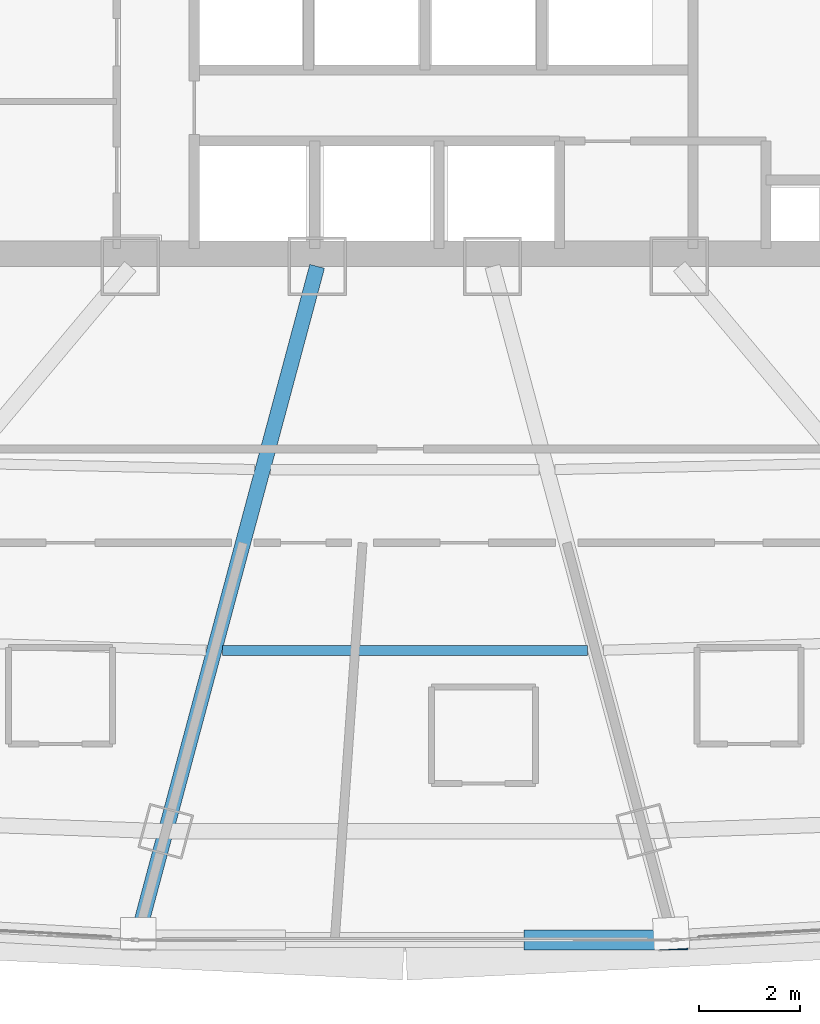
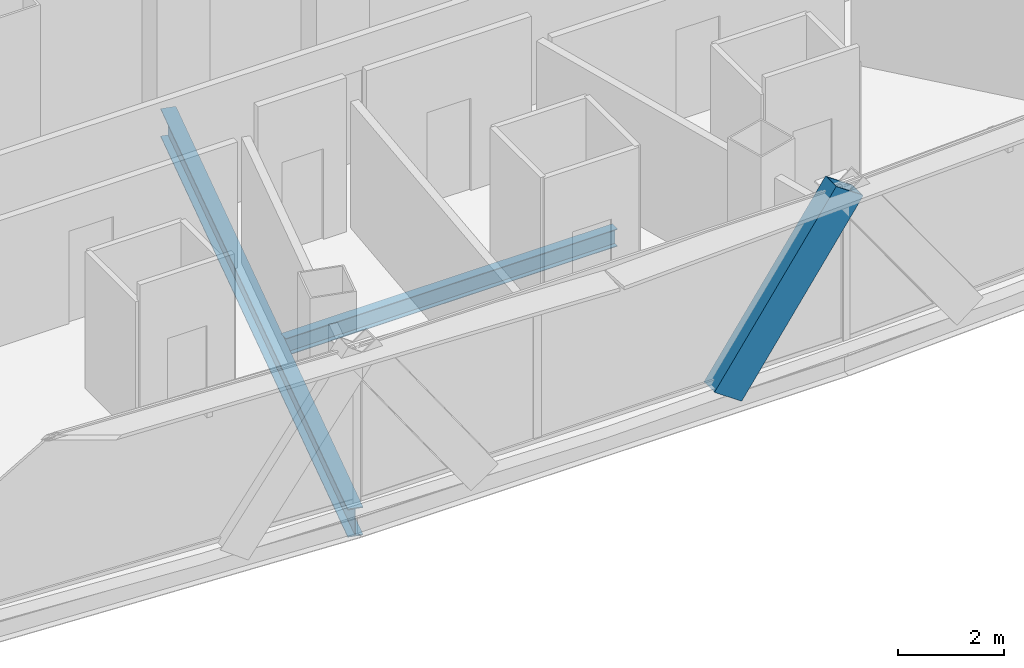
# One storey, part 11 of 40: 2 beams, 1 member.
"""IFC4 building model written with IfcOpenShell, lengths in metres."""

from ifc_helpers import new_model, si_unit, direction, frame, origin, origin_2d, place, context, subcontext, project, spatial, hollow_rectangle, i_section, extrude, source, transform, mapped, material, material_profile, profile_set, type_object, element, save


model = new_model("IFC4")

# Units and contexts
model_context = context("Model", 3, precision=1e-05, world=origin(), true_north=direction((0.0, 1.0)))
body_context = subcontext(model_context, "Body", "Model", "MODEL_VIEW")
ifc_project = project(units=[si_unit("LENGTHUNIT", "METRE"), si_unit("AREAUNIT", "SQUARE_METRE"), si_unit("VOLUMEUNIT", "CUBIC_METRE"), si_unit("PLANEANGLEUNIT", "RADIAN"), si_unit("MASSUNIT", "GRAM", prefix="KILO"), si_unit("THERMODYNAMICTEMPERATUREUNIT", "KELVIN"), si_unit("POWERUNIT", "WATT")], contexts=[model_context])

# Site, building, storey
site_placement = place(None, origin())
site = spatial("IfcSite", under=ifc_project, at=site_placement, CompositionType="ELEMENT")
building_placement = place(site_placement, origin())
building = spatial("IfcBuilding", under=site, at=building_placement, Name="Yunzhuo Pagoda Commons", CompositionType="ELEMENT")
storey_placement = place(building_placement, frame((0.0, 0.0, 188.56005859375)))
storey = spatial("IfcBuildingStorey", under=building, at=storey_placement, Name="L47", CompositionType="ELEMENT", Elevation=188.56005859375)

# Beams
ifc_material = material(Name="Structural steel Q355B", Category="steel")
ifc_material_profile_1 = material_profile(ifc_material, i_section(OverallWidth=0.300048828125, OverallDepth=0.64990234375, WebThickness=0.012939453125, FlangeThickness=0.02197265625, at=origin_2d()), Name="Structural steel Q355B")
ifc_profile_set_1 = profile_set([ifc_material_profile_1], Name="Structural steel Q355B")
beam_type_1 = type_object("IfcBeamType", Name="B-RG2 Beam HN 650x300x13x22", PredefinedType="BEAM", material=ifc_profile_set_1)
shared_shape_1 = source(origin(), body_context, "Body", "SweptSolid", [
    extrude(i_section(OverallWidth=0.300048828125, OverallDepth=0.64990234375, WebThickness=0.012939453125, FlangeThickness=0.02197265625, at=origin_2d()), origin(), (0.0, 0.0, 1.0), 13.593017578125),
])
beam_1_placement = place(storey_placement, frame((42.753662109375, 14.1201171875, -0.5849609375), z_axis=(0.258830648495, 0.965922717095, 0.0), x_axis=(-0.965922717095, 0.258830648495, 0.0)))
element("IfcBeam", 1, at=beam_1_placement, inside=storey, type_object=beam_type_1, Name="L47 radial floor girder F1C2", PredefinedType="BEAM", context=body_context, shape_type="MappedRepresentation", body=[
    mapped(shared_shape_1, transform((0.0, 0.0, 0.0), scale=1.0)),
])
ifc_material_profile_2 = material_profile(ifc_material, i_section(OverallWidth=0.199951171875, OverallDepth=0.39990234375, WebThickness=0.008056640625, FlangeThickness=0.012939453125, at=origin_2d()), Name="Structural steel Q355B")
ifc_profile_set_2 = profile_set([ifc_material_profile_2], Name="Structural steel Q355B")
beam_type_2 = type_object("IfcBeamType", Name="B-JS1 Joist HN 400x200x8x13", PredefinedType="JOIST", material=ifc_profile_set_2)
shared_shape_2 = source(origin(), body_context, "Body", "SweptSolid", [
    extrude(i_section(OverallWidth=0.199951171875, OverallDepth=0.39990234375, WebThickness=0.008056640625, FlangeThickness=0.012939453125, at=origin_2d()), origin(), (0.0, 0.0, 1.0), 7.197265625),
])
beam_2_placement = place(storey_placement, frame((44.4013671875, 19.676513671875, -0.4599609375), z_axis=(1.0, 0.0, 0.0), x_axis=(0.0, 1.0, 0.0)))
element("IfcBeam", 2, at=beam_2_placement, inside=storey, type_object=beam_type_2, Name="L47 composite ring joist 2.2", PredefinedType="JOIST", context=body_context, shape_type="MappedRepresentation", body=[
    mapped(shared_shape_2, transform((0.0, 0.0, 0.0), scale=1.0)),
])

# Member
ifc_material_profile_3 = material_profile(ifc_material, hollow_rectangle(XDim=0.39990234375, YDim=0.719970703125, WallThickness=0.02392578125, at=origin_2d()), Name="Structural steel Q355B")
ifc_profile_set_3 = profile_set([ifc_material_profile_3], Name="Structural steel Q355B")
member_type = type_object("IfcMemberType", Name="M-DL2 Brace BOX 720x400x24", PredefinedType="BRACE", material=ifc_profile_set_3)
shared_shape_3 = source(origin(), body_context, "Body", "SweptSolid", [
    extrude(hollow_rectangle(XDim=0.39990234375, YDim=0.719970703125, WallThickness=0.02392578125, at=origin_2d()), origin(), (0.0, 0.0, 1.0), 4.62890625),
])
member_placement = place(storey_placement, frame((50.6435546875, 13.970458984375, -0.260009765625), z_axis=(0.57099958185, 0.0, 0.820950350221), x_axis=(0.0, 1.0, 0.0)))
element("IfcMember", 3, at=member_placement, inside=storey, type_object=member_type, Name="L47 facade diamond brace F1.2R", PredefinedType="BRACE", context=body_context, shape_type="MappedRepresentation", body=[
    mapped(shared_shape_3, transform((0.0, 0.0, 0.0), scale=1.0)),
])

save(model, "model.ifc")
